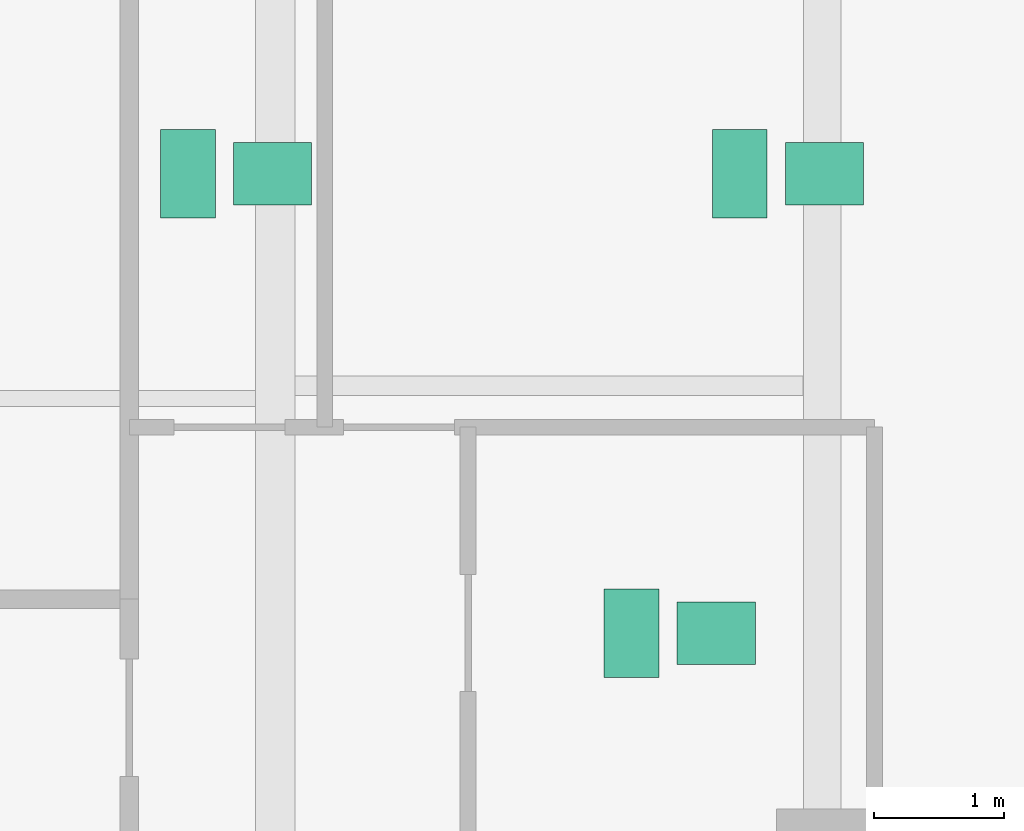
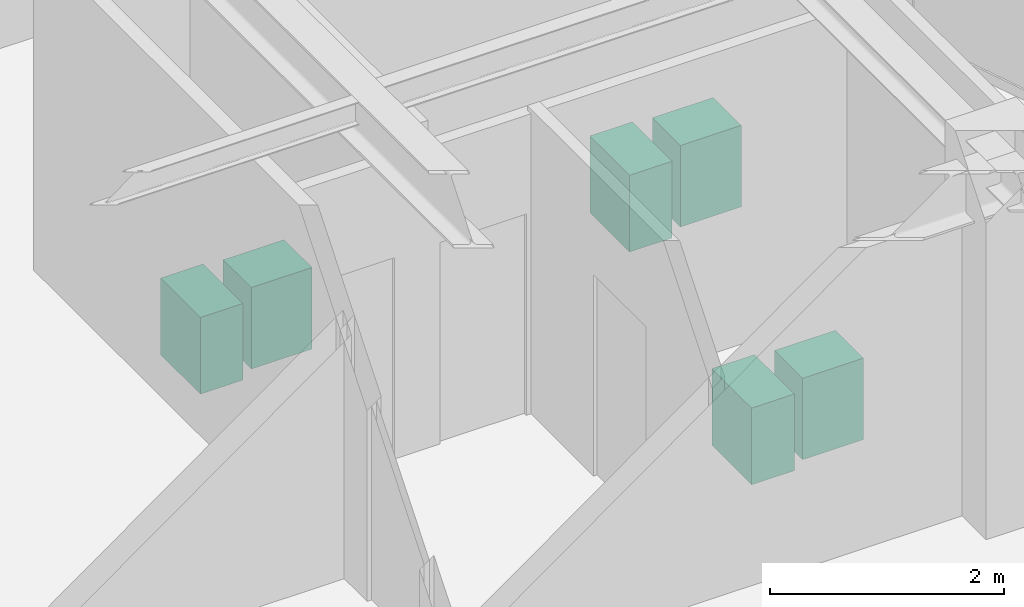
# One storey, part 21 of 21: 6 sanitary terminals.
"""IFC4 building model written with IfcOpenShell, lengths in metres."""

from ifc_helpers import new_model, si_unit, direction, frame, origin, origin_2d, place, context, subcontext, project, spatial, rectangle, extrude, source, transform, mapped, material, type_object, type_shapes, element, save


model = new_model("IFC4")

# Units and contexts
model_context = context("Model", 3, precision=1e-05, world=origin(), true_north=direction((0.0, 1.0)))
body_context = subcontext(model_context, "Body", "Model", "MODEL_VIEW")
ifc_project = project(units=[si_unit("LENGTHUNIT", "METRE"), si_unit("AREAUNIT", "SQUARE_METRE"), si_unit("VOLUMEUNIT", "CUBIC_METRE"), si_unit("PLANEANGLEUNIT", "RADIAN"), si_unit("MASSUNIT", "GRAM", prefix="KILO")], contexts=[model_context])

# Site, building, storey
site_placement = place(None, origin())
site = spatial("IfcSite", under=ifc_project, at=site_placement, CompositionType="ELEMENT")
building_placement = place(site_placement, origin())
building = spatial("IfcBuilding", under=site, at=building_placement, Name="Krantzveldt Concourse Tower", CompositionType="ELEMENT")
storey_placement = place(building_placement, frame((0.0, 0.0, 335.60009765625)))
storey = spatial("IfcBuildingStorey", under=building, at=storey_placement, Name="L82", CompositionType="ELEMENT", Elevation=335.60009765625)

# Sanitary terminals
ifc_material = material(Name="Vitreous china", Category="ceramic")
sanitary_terminal_type_1 = type_object("IfcSanitaryTerminalType", Name="SAN-WC-SUITE", PredefinedType="TOILETPAN", material=ifc_material)
shared_shape_1 = source(origin(), body_context, "Body", "SweptSolid", [
    extrude(rectangle(XDim=0.419921875, YDim=0.679931640625, at=origin_2d()), origin(), (0.0, 0.0, 1.0), 0.800048828125),
])
type_shapes(sanitary_terminal_type_1, [shared_shape_1])
for number, where, z_axis, x_axis, name in (
    (1, (50.365234375, 31.925048828125, 0.0), (0.0, 0.0, 1.0), (1.0, 0.0, 0.0), "WC-SP-L82-WCM"),
    (2, (46.1298828125, 31.925048828125, 0.0), (0.0, 0.0, 1.0), (1.0, 0.0, 0.0), "WC-SP-L82-WCF"),
    (3, (49.534912109375, 28.39990234375, 0.0), (0.0, 0.0, 1.0), (1.0, 0.0, 0.0), "WC-SP-L82-WCA"),
):
    element("IfcSanitaryTerminal", number, at=place(storey_placement, frame(where, z_axis=z_axis, x_axis=x_axis)), inside=storey, type_object=sanitary_terminal_type_1, Name=name, PredefinedType="TOILETPAN", context=body_context, shape_type="MappedRepresentation", body=[
        mapped(shared_shape_1, transform((0.0, 0.0, 0.0), x_axis=(1.0, 0.0, 0.0), y_axis=(0.0, 1.0, 0.0), z_axis=(0.0, 0.0, 1.0), scale=1.0)),
    ])
sanitary_terminal_type_2 = type_object("IfcSanitaryTerminalType", Name="SAN-BASIN-600", PredefinedType="WASHHANDBASIN", material=ifc_material)
shared_shape_2 = source(origin(), body_context, "Body", "SweptSolid", [
    extrude(rectangle(XDim=0.60009765625, YDim=0.47998046875, at=origin_2d()), origin(), (0.0, 0.0, 1.0), 0.85009765625),
])
type_shapes(sanitary_terminal_type_2, [shared_shape_2])
for number, where, z_axis, x_axis, name in (
    (4, (51.015380859375, 31.925048828125, 0.0048828125), (0.0, 0.0, 1.0), (1.0, 0.0, 0.0), "BSN-SP-L82-WCM"),
    (5, (46.780029296875, 31.925048828125, 0.0048828125), (0.0, 0.0, 1.0), (1.0, 0.0, 0.0), "BSN-SP-L82-WCF"),
    (6, (50.18505859375, 28.39990234375, 0.0048828125), (0.0, 0.0, 1.0), (1.0, 0.0, 0.0), "BSN-SP-L82-WCA"),
):
    element("IfcSanitaryTerminal", number, at=place(storey_placement, frame(where, z_axis=z_axis, x_axis=x_axis)), inside=storey, type_object=sanitary_terminal_type_2, Name=name, PredefinedType="WASHHANDBASIN", context=body_context, shape_type="MappedRepresentation", body=[
        mapped(shared_shape_2, transform((0.0, 0.0, 0.0), x_axis=(1.0, 0.0, 0.0), y_axis=(0.0, 1.0, 0.0), z_axis=(0.0, 0.0, 1.0), scale=1.0)),
    ])

save(model, "model.ifc")
